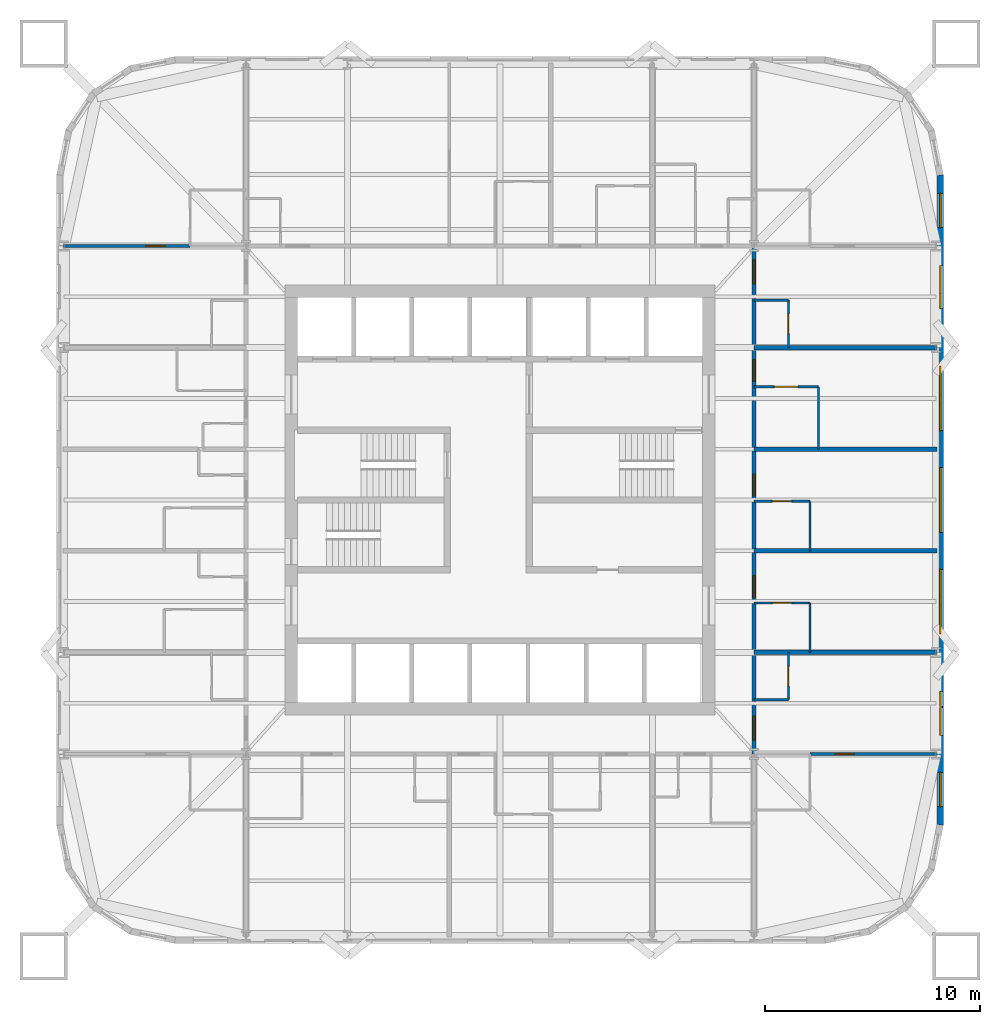
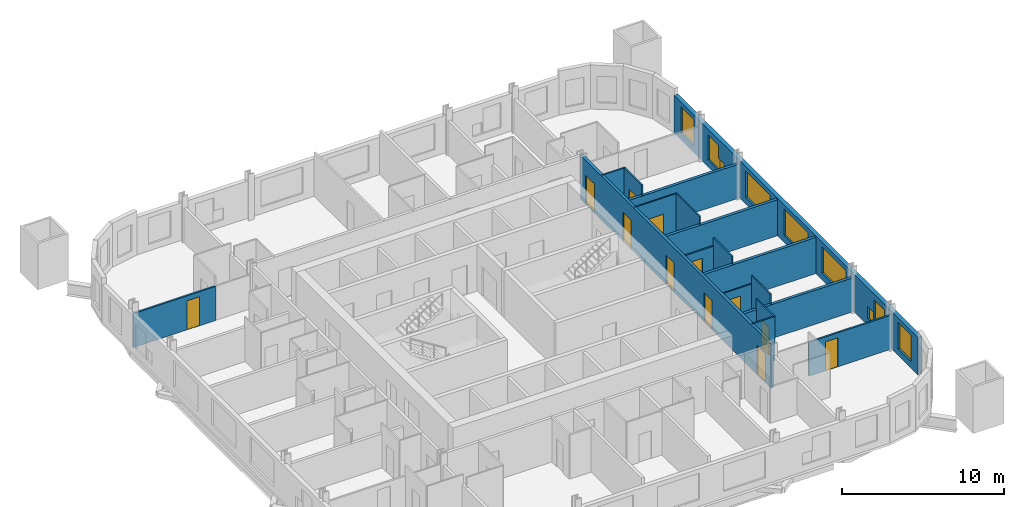
# One storey, part 6 of 9: 18 walls, 12 doors, 9 windows, 21 openings.
"""IFC4 building model written with IfcOpenShell, lengths in metres."""

from ifc_helpers import new_model, si_unit, direction, frame, frame_2d, origin, place, context, subcontext, project, spatial, rectangle, extrude, material, layer, layer_set, type_object, element, fill, save


model = new_model("IFC4")

# Units and contexts
model_context = context("Model", 3, precision=1e-05, world=origin(), true_north=direction((0.0, 1.0)))
body_context = subcontext(model_context, "Body", "Model", "MODEL_VIEW")
ifc_project = project(units=[si_unit("LENGTHUNIT", "METRE"), si_unit("AREAUNIT", "SQUARE_METRE"), si_unit("VOLUMEUNIT", "CUBIC_METRE"), si_unit("PLANEANGLEUNIT", "RADIAN"), si_unit("MASSUNIT", "GRAM", prefix="KILO")], contexts=[model_context])

# Site, building, storey
site_placement = place(None, origin())
site = spatial("IfcSite", under=ifc_project, at=site_placement, CompositionType="ELEMENT")
building_placement = place(site_placement, origin())
building = spatial("IfcBuilding", under=site, at=building_placement, Name="Turquesa Mirador Hotel Tower", CompositionType="ELEMENT")
storey_placement = place(building_placement, frame((0.0, 0.0, 135.39990234375)))
storey = spatial("IfcBuildingStorey", under=building, at=storey_placement, Name="L36", CompositionType="ELEMENT", Elevation=135.39990234375)

# Wall, opening, door
ifc_material_1 = material(Name="Gypsum board on steel studs", Category="steel")
ifc_layer_1 = layer(ifc_material_1, 0.10009765625)
ifc_layer_set_1 = layer_set([ifc_layer_1], Name="BATHROOM WALL 100")
wall_type_1 = type_object("IfcWallType", Name="BATHROOM WALL 100", PredefinedType="PARTITIONING", material=ifc_layer_set_1)
wall_1_placement = place(storey_placement, frame((66.800048828125, 44.93994140625, 0.0), z_axis=(0.0, 0.0, 1.0), x_axis=(1.0, 0.0, 0.0)))
wall_1 = element("IfcWall", 1, at=wall_1_placement, inside=storey, type_object=wall_type_1, Name="Partition L36 001", PredefinedType="PARTITIONING", context=body_context, shape_type="SweptSolid", body=[
    extrude(rectangle(XDim=2.599853515625, YDim=0.10009765625, at=frame_2d((1.2998046875, 0.0))), origin(), (0.0, 0.0, 1.0), 2.730712890625),
])
opening_1_placement = place(wall_1_placement, frame((0.85009765625, 0.0, 0.0)))
opening_1 = element("IfcOpeningElement", 2, at=opening_1_placement, cuts=wall_1, Name="Opening D02", PredefinedType="OPENING", context=body_context, shape_type="SweptSolid", body=[
    extrude(rectangle(XDim=0.89990234375, YDim=2.10009765625, at=frame_2d((0.449951171875, 1.050048828125))), frame((0.0, 0.06005859375, 0.0), z_axis=(0.0, -1.0, 0.0), x_axis=(1.0, 0.0, 0.0)), (0.0, 0.0, 1.0), 0.1201171875),
])
ifc_material_2 = material(Name="Timber veneered door", Category="wood")
door_type_1 = type_object("IfcDoorType", Name="DOOR 900X2100 EN-SUITE", OperationType="SINGLE_SWING_RIGHT", PredefinedType="DOOR", material=ifc_material_2)
door_1_placement = place(opening_1_placement, origin())
door_1 = element("IfcDoor", 3, at=door_1_placement, inside=storey, type_object=door_type_1, Name="Door 3609B", OperationType="SINGLE_SWING_RIGHT", OverallHeight=2.10009765625, OverallWidth=0.89990234375, PredefinedType="DOOR", context=body_context, shape_type="SweptSolid", body=[
    extrude(rectangle(XDim=0.89990234375, YDim=2.10009765625, at=frame_2d((0.449951171875, 1.050048828125))), frame((0.0, 0.02490234375, 0.0), z_axis=(0.0, -1.0, 0.0), x_axis=(1.0, 0.0, 0.0)), (0.0, 0.0, 1.0), 0.050048828125),
])
fill(opening_1, door_1)

wall_2_placement = place(storey_placement, frame((66.800048828125, 40.219970703125, 0.0), z_axis=(0.0, 0.0, 1.0), x_axis=(1.0, 0.0, 0.0)))
wall_2 = element("IfcWall", 4, at=wall_2_placement, inside=storey, type_object=wall_type_1, Name="Partition L36 019", PredefinedType="PARTITIONING", context=body_context, shape_type="SweptSolid", body=[
    extrude(rectangle(XDim=2.599853515625, YDim=0.10009765625, at=frame_2d((1.2998046875, 0.0))), origin(), (0.0, 0.0, 1.0), 2.730712890625),
])
opening_2_placement = place(wall_2_placement, frame((0.85009765625, 0.0, 0.0)))
opening_2 = element("IfcOpeningElement", 5, at=opening_2_placement, cuts=wall_2, Name="Opening D02", PredefinedType="OPENING", context=body_context, shape_type="SweptSolid", body=[
    extrude(rectangle(XDim=0.89990234375, YDim=2.10009765625, at=frame_2d((0.449951171875, 1.050048828125))), frame((0.0, 0.06005859375, 0.0), z_axis=(0.0, -1.0, 0.0), x_axis=(1.0, 0.0, 0.0)), (0.0, 0.0, 1.0), 0.1201171875),
])
door_2_placement = place(opening_2_placement, origin())
door_2 = element("IfcDoor", 6, at=door_2_placement, inside=storey, type_object=door_type_1, Name="Door 3608B", OperationType="SINGLE_SWING_RIGHT", OverallHeight=2.10009765625, OverallWidth=0.89990234375, PredefinedType="DOOR", context=body_context, shape_type="SweptSolid", body=[
    extrude(rectangle(XDim=0.89990234375, YDim=2.10009765625, at=frame_2d((0.449951171875, 1.050048828125))), frame((0.0, 0.02490234375, 0.0), z_axis=(0.0, -1.0, 0.0), x_axis=(1.0, 0.0, 0.0)), (0.0, 0.0, 1.0), 0.050048828125),
])
fill(opening_2, door_2)

# Wall
wall_3_placement = place(storey_placement, frame((66.800048828125, 35.719970703125, 0.0), z_axis=(0.0, 0.0, 1.0), x_axis=(1.0, 0.0, 0.0)))
element("IfcWall", 7, at=wall_3_placement, inside=storey, type_object=wall_type_1, Name="Partition L36 024", PredefinedType="PARTITIONING", context=body_context, shape_type="SweptSolid", body=[
    extrude(rectangle(XDim=1.599853515625, YDim=0.10009765625, at=frame_2d((0.7998046875, 0.0))), origin(), (0.0, 0.0, 1.0), 3.330078125),
])

# Wall, opening, door
wall_4_placement = place(storey_placement, frame((66.800048828125, 50.260009765625, 0.0), z_axis=(0.0, 0.0, 1.0), x_axis=(1.0, 0.0, 0.0)))
wall_4 = element("IfcWall", 8, at=wall_4_placement, inside=storey, type_object=wall_type_1, Name="Partition L36 043", PredefinedType="PARTITIONING", context=body_context, shape_type="SweptSolid", body=[
    extrude(rectangle(XDim=3.0, YDim=0.10009765625, at=frame_2d((1.5, 0.0))), origin(), (0.0, 0.0, 1.0), 3.330078125),
])
opening_3_placement = place(wall_4_placement, frame((0.949951171875, 0.0, 0.0)))
opening_3 = element("IfcOpeningElement", 9, at=opening_3_placement, cuts=wall_4, Name="Opening D16", PredefinedType="OPENING", context=body_context, shape_type="SweptSolid", body=[
    extrude(rectangle(XDim=1.10009765625, YDim=2.10009765625, at=frame_2d((0.550048828125, 1.050048828125))), frame((0.0, 0.06005859375, 0.0), z_axis=(0.0, -1.0, 0.0), x_axis=(1.0, 0.0, 0.0)), (0.0, 0.0, 1.0), 0.1201171875),
])
ifc_material_3 = material(Name="Timber veneered sliding door", Category="wood")
door_type_2 = type_object("IfcDoorType", Name="DOOR 1100X2100 ACCESSIBLE EN-SUITE", OperationType="SLIDING_TO_LEFT", PredefinedType="DOOR", material=ifc_material_3)
door_3_placement = place(opening_3_placement, origin())
door_3 = element("IfcDoor", 10, at=door_3_placement, inside=storey, type_object=door_type_2, Name="Door 3610B", OperationType="SLIDING_TO_LEFT", OverallHeight=2.10009765625, OverallWidth=1.10009765625, PredefinedType="DOOR", context=body_context, shape_type="SweptSolid", body=[
    extrude(rectangle(XDim=1.10009765625, YDim=2.10009765625, at=frame_2d((0.550048828125, 1.050048828125))), frame((0.0, 0.02490234375, 0.0), z_axis=(0.0, -1.0, 0.0), x_axis=(1.0, 0.0, 0.0)), (0.0, 0.0, 1.0), 0.050048828125),
])
fill(opening_3, door_3)

# Wall
wall_5_placement = place(storey_placement, frame((66.800048828125, 54.280029296875, 0.0), z_axis=(0.0, 0.0, 1.0), x_axis=(1.0, 0.0, 0.0)))
element("IfcWall", 11, at=wall_5_placement, inside=storey, type_object=wall_type_1, Name="Partition L36 047", PredefinedType="PARTITIONING", context=body_context, shape_type="SweptSolid", body=[
    extrude(rectangle(XDim=1.599853515625, YDim=0.10009765625, at=frame_2d((0.7998046875, 0.0))), origin(), (0.0, 0.0, 1.0), 3.330078125),
])

# Wall, opening, door
wall_6_placement = place(storey_placement, frame((68.39990234375, 35.719970703125, 0.0), z_axis=(0.0, 0.0, 1.0), x_axis=(0.0, 1.0, 0.0)))
wall_6 = element("IfcWall", 12, at=wall_6_placement, inside=storey, type_object=wall_type_1, Name="Partition L36 072", PredefinedType="PARTITIONING", context=body_context, shape_type="SweptSolid", body=[
    extrude(rectangle(XDim=2.199951171875, YDim=0.10009765625, at=frame_2d((1.10009765625, 0.0))), origin(), (0.0, 0.0, 1.0), 3.330078125),
])
opening_4_placement = place(wall_6_placement, frame((0.64990234375, 0.0, 0.0)))
opening_4 = element("IfcOpeningElement", 13, at=opening_4_placement, cuts=wall_6, Name="Opening D06", PredefinedType="OPENING", context=body_context, shape_type="SweptSolid", body=[
    extrude(rectangle(XDim=0.89990234375, YDim=2.10009765625, at=frame_2d((0.449951171875, 1.050048828125))), frame((0.0, 0.06005859375, 0.0), z_axis=(0.0, -1.0, 0.0), x_axis=(1.0, 0.0, 0.0)), (0.0, 0.0, 1.0), 0.1201171875),
])
ifc_material_4 = material(Name="Laminate door", Category="wood")
door_type_3 = type_object("IfcDoorType", Name="DOOR 900X2100 WC", OperationType="SINGLE_SWING_LEFT", PredefinedType="DOOR", material=ifc_material_4)
door_4_placement = place(opening_4_placement, origin())
door_4 = element("IfcDoor", 14, at=door_4_placement, inside=storey, type_object=door_type_3, Name="Door 3617W", OperationType="SINGLE_SWING_LEFT", OverallHeight=2.10009765625, OverallWidth=0.89990234375, PredefinedType="DOOR", context=body_context, shape_type="SweptSolid", body=[
    extrude(rectangle(XDim=0.89990234375, YDim=2.10009765625, at=frame_2d((0.449951171875, 1.050048828125))), frame((0.0, 0.02490234375, 0.0), z_axis=(0.0, -1.0, 0.0), x_axis=(1.0, 0.0, 0.0)), (0.0, 0.0, 1.0), 0.050048828125),
])
fill(opening_4, door_4)

wall_7_placement = place(storey_placement, frame((68.39990234375, 52.080078125, 0.0), z_axis=(0.0, 0.0, 1.0), x_axis=(0.0, 1.0, 0.0)))
wall_7 = element("IfcWall", 15, at=wall_7_placement, inside=storey, type_object=wall_type_1, Name="Partition L36 073", PredefinedType="PARTITIONING", context=body_context, shape_type="SweptSolid", body=[
    extrude(rectangle(XDim=2.199951171875, YDim=0.10009765625, at=frame_2d((1.10009765625, 0.0))), origin(), (0.0, 0.0, 1.0), 3.330078125),
])
opening_5_placement = place(wall_7_placement, frame((0.64990234375, 0.0, 0.0)))
opening_5 = element("IfcOpeningElement", 16, at=opening_5_placement, cuts=wall_7, Name="Opening D06", PredefinedType="OPENING", context=body_context, shape_type="SweptSolid", body=[
    extrude(rectangle(XDim=0.89990234375, YDim=2.10009765625, at=frame_2d((0.449951171875, 1.050048828125))), frame((0.0, 0.06005859375, 0.0), z_axis=(0.0, -1.0, 0.0), x_axis=(1.0, 0.0, 0.0)), (0.0, 0.0, 1.0), 0.1201171875),
])
door_5_placement = place(opening_5_placement, origin())
door_5 = element("IfcDoor", 17, at=door_5_placement, inside=storey, type_object=door_type_3, Name="Door 3614W", OperationType="SINGLE_SWING_LEFT", OverallHeight=2.10009765625, OverallWidth=0.89990234375, PredefinedType="DOOR", context=body_context, shape_type="SweptSolid", body=[
    extrude(rectangle(XDim=0.89990234375, YDim=2.10009765625, at=frame_2d((0.449951171875, 1.050048828125))), frame((0.0, 0.02490234375, 0.0), z_axis=(0.0, -1.0, 0.0), x_axis=(1.0, 0.0, 0.0)), (0.0, 0.0, 1.0), 0.050048828125),
])
fill(opening_5, door_5)

# Walls
for number, where, z_axis, x_axis, name in (
    (18, (69.39990234375, 37.919921875, 0.0), (0.0, 0.0, 1.0), (0.0, 1.0, 0.0), "Partition L36 075"),
    (19, (69.39990234375, 42.639892578125, 0.0), (0.0, 0.0, 1.0), (0.0, 1.0, 0.0), "Partition L36 076"),
):
    element("IfcWall", number, at=place(storey_placement, frame(where, z_axis=z_axis, x_axis=x_axis)), inside=storey, type_object=wall_type_1, Name=name, PredefinedType="PARTITIONING", context=body_context, shape_type="SweptSolid", body=[
        extrude(rectangle(XDim=2.300048828125, YDim=0.10009765625, at=frame_2d((1.14990234375, 0.0))), origin(), (0.0, 0.0, 1.0), 3.330078125),
    ])
wall_8_placement = place(storey_placement, frame((69.800048828125, 47.360107421875, 0.0), z_axis=(0.0, 0.0, 1.0), x_axis=(0.0, 1.0, 0.0)))
element("IfcWall", 20, at=wall_8_placement, inside=storey, type_object=wall_type_1, Name="Partition L36 078", PredefinedType="PARTITIONING", context=body_context, shape_type="SweptSolid", body=[
    extrude(rectangle(XDim=2.89990234375, YDim=0.10009765625, at=frame_2d((1.449951171875, 0.0))), origin(), (0.0, 0.0, 1.0), 3.330078125),
])

# Wall, openings, doors
ifc_material_5 = material(Name="Fire-rated gypsum board on steel studs", Category="steel")
ifc_layer_2 = layer(ifc_material_5, 0.199951171875)
ifc_layer_set_2 = layer_set([ifc_layer_2], Name="CORRIDOR WALL 200")
wall_type_2 = type_object("IfcWallType", Name="CORRIDOR WALL 200", PredefinedType="PARTITIONING", material=ifc_layer_set_2)
wall_9_placement = place(storey_placement, frame((66.800048828125, 33.199951171875, 0.0), z_axis=(0.0, 0.0, 1.0), x_axis=(0.0, 1.0, 0.0)))
wall_9 = element("IfcWall", 21, at=wall_9_placement, inside=storey, type_object=wall_type_2, Name="Partition L36 069", PredefinedType="PARTITIONING", context=body_context, shape_type="SweptSolid", body=[
    extrude(rectangle(XDim=23.60009765625, YDim=0.199951171875, at=frame_2d((11.800048828125, 0.0))), origin(), (0.0, 0.0, 1.0), 3.330078125),
])
opening_6_placement = place(wall_9_placement, frame((7.27001953125, 0.0, 0.0)))
opening_6 = element("IfcOpeningElement", 22, at=opening_6_placement, cuts=wall_9, Name="Opening D01", PredefinedType="OPENING", context=body_context, shape_type="SweptSolid", body=[
    extrude(rectangle(XDim=1.0, YDim=2.199951171875, at=frame_2d((0.5, 1.10009765625))), frame((0.0, 0.10986328125, 0.0), z_axis=(0.0, -1.0, 0.0), x_axis=(1.0, 0.0, 0.0)), (0.0, 0.0, 1.0), 0.219970703125),
])
opening_7_placement = place(wall_9_placement, frame((11.989990234375, 0.0, 0.0)))
opening_7 = element("IfcOpeningElement", 23, at=opening_7_placement, cuts=wall_9, Name="Opening D01", PredefinedType="OPENING", context=body_context, shape_type="SweptSolid", body=[
    extrude(rectangle(XDim=1.0, YDim=2.199951171875, at=frame_2d((0.5, 1.10009765625))), frame((0.0, 0.10986328125, 0.0), z_axis=(0.0, -1.0, 0.0), x_axis=(1.0, 0.0, 0.0)), (0.0, 0.0, 1.0), 0.219970703125),
])
opening_8_placement = place(wall_9_placement, frame((17.31005859375, 0.0, 0.0)))
opening_8 = element("IfcOpeningElement", 24, at=opening_8_placement, cuts=wall_9, Name="Opening D01", PredefinedType="OPENING", context=body_context, shape_type="SweptSolid", body=[
    extrude(rectangle(XDim=1.0, YDim=2.199951171875, at=frame_2d((0.5, 1.10009765625))), frame((0.0, 0.10986328125, 0.0), z_axis=(0.0, -1.0, 0.0), x_axis=(1.0, 0.0, 0.0)), (0.0, 0.0, 1.0), 0.219970703125),
])
opening_9_placement = place(wall_9_placement, frame((21.85009765625, 0.0, 0.0)))
opening_9 = element("IfcOpeningElement", 25, at=opening_9_placement, cuts=wall_9, Name="Opening D15", PredefinedType="OPENING", context=body_context, shape_type="SweptSolid", body=[
    extrude(rectangle(XDim=1.10009765625, YDim=2.199951171875, at=frame_2d((0.550048828125, 1.10009765625))), frame((0.0, 0.10986328125, 0.0), z_axis=(0.0, -1.0, 0.0), x_axis=(1.0, 0.0, 0.0)), (0.0, 0.0, 1.0), 0.219970703125),
])
opening_10_placement = place(wall_9_placement, frame((0.64990234375, 0.0, 0.0)))
opening_10 = element("IfcOpeningElement", 26, at=opening_10_placement, cuts=wall_9, Name="Opening D15", PredefinedType="OPENING", context=body_context, shape_type="SweptSolid", body=[
    extrude(rectangle(XDim=1.10009765625, YDim=2.199951171875, at=frame_2d((0.550048828125, 1.10009765625))), frame((0.0, 0.10986328125, 0.0), z_axis=(0.0, -1.0, 0.0), x_axis=(1.0, 0.0, 0.0)), (0.0, 0.0, 1.0), 0.219970703125),
])
ifc_material_6 = material(Name="Timber veneered fire door", Category="wood")
door_type_4 = type_object("IfcDoorType", Name="DOOR 1000X2200 GUEST ENTRY", OperationType="SINGLE_SWING_LEFT", PredefinedType="DOOR", material=ifc_material_6)
door_6_placement = place(opening_6_placement, origin())
door_6 = element("IfcDoor", 27, at=door_6_placement, inside=storey, type_object=door_type_4, Name="Door 3608", OperationType="SINGLE_SWING_LEFT", OverallHeight=2.199951171875, OverallWidth=1.0, PredefinedType="DOOR", context=body_context, shape_type="SweptSolid", body=[
    extrude(rectangle(XDim=1.0, YDim=2.199951171875, at=frame_2d((0.5, 1.10009765625))), frame((0.0, 0.02490234375, 0.0), z_axis=(0.0, -1.0, 0.0), x_axis=(1.0, 0.0, 0.0)), (0.0, 0.0, 1.0), 0.050048828125),
])
fill(opening_6, door_6)
door_7_placement = place(opening_7_placement, origin())
door_7 = element("IfcDoor", 28, at=door_7_placement, inside=storey, type_object=door_type_4, Name="Door 3609", OperationType="SINGLE_SWING_LEFT", OverallHeight=2.199951171875, OverallWidth=1.0, PredefinedType="DOOR", context=body_context, shape_type="SweptSolid", body=[
    extrude(rectangle(XDim=1.0, YDim=2.199951171875, at=frame_2d((0.5, 1.10009765625))), frame((0.0, 0.02490234375, 0.0), z_axis=(0.0, -1.0, 0.0), x_axis=(1.0, 0.0, 0.0)), (0.0, 0.0, 1.0), 0.050048828125),
])
fill(opening_7, door_7)
door_8_placement = place(opening_8_placement, origin())
door_8 = element("IfcDoor", 29, at=door_8_placement, inside=storey, type_object=door_type_4, Name="Door 3610", OperationType="SINGLE_SWING_LEFT", OverallHeight=2.199951171875, OverallWidth=1.0, PredefinedType="DOOR", context=body_context, shape_type="SweptSolid", body=[
    extrude(rectangle(XDim=1.0, YDim=2.199951171875, at=frame_2d((0.5, 1.10009765625))), frame((0.0, 0.02490234375, 0.0), z_axis=(0.0, -1.0, 0.0), x_axis=(1.0, 0.0, 0.0)), (0.0, 0.0, 1.0), 0.050048828125),
])
fill(opening_8, door_8)
ifc_material_7 = material(Name="Timber veneered fire door", Category="wood")
door_type_5 = type_object("IfcDoorType", Name="DOOR 1100X2200 SUITE ENTRY", OperationType="SINGLE_SWING_LEFT", PredefinedType="DOOR", material=ifc_material_7)
door_9_placement = place(opening_9_placement, origin())
door_9 = element("IfcDoor", 30, at=door_9_placement, inside=storey, type_object=door_type_5, Name="Door 3614", OperationType="SINGLE_SWING_LEFT", OverallHeight=2.199951171875, OverallWidth=1.10009765625, PredefinedType="DOOR", context=body_context, shape_type="SweptSolid", body=[
    extrude(rectangle(XDim=1.10009765625, YDim=2.199951171875, at=frame_2d((0.550048828125, 1.10009765625))), frame((0.0, 0.02490234375, 0.0), z_axis=(0.0, -1.0, 0.0), x_axis=(1.0, 0.0, 0.0)), (0.0, 0.0, 1.0), 0.050048828125),
])
fill(opening_9, door_9)
door_10_placement = place(opening_10_placement, origin())
door_10 = element("IfcDoor", 31, at=door_10_placement, inside=storey, type_object=door_type_5, Name="Door 3617", OperationType="SINGLE_SWING_LEFT", OverallHeight=2.199951171875, OverallWidth=1.10009765625, PredefinedType="DOOR", context=body_context, shape_type="SweptSolid", body=[
    extrude(rectangle(XDim=1.10009765625, YDim=2.199951171875, at=frame_2d((0.550048828125, 1.10009765625))), frame((0.0, 0.02490234375, 0.0), z_axis=(0.0, -1.0, 0.0), x_axis=(1.0, 0.0, 0.0)), (0.0, 0.0, 1.0), 0.050048828125),
])
fill(opening_10, door_10)

# Wall, openings, windows
ifc_material_8 = material(Name="Limestone cladding on concrete block", Category="masonry")
ifc_layer_3 = layer(ifc_material_8, 0.300048828125)
ifc_layer_set_3 = layer_set([ifc_layer_3], Name="FACADE WALL 300 STONE SCREEN")
wall_type_3 = type_object("IfcWallType", Name="FACADE WALL 300 STONE SCREEN", PredefinedType="SOLIDWALL", material=ifc_layer_set_3)
wall_10_placement = place(storey_placement, frame((75.449951171875, 29.89990234375, 0.0), z_axis=(0.0, 0.0, 1.0), x_axis=(0.0, 1.0, 0.0)))
wall_10 = element("IfcWall", 32, at=wall_10_placement, inside=storey, type_object=wall_type_3, Name="Facade wall L36 04", PredefinedType="SOLIDWALL", context=body_context, shape_type="SweptSolid", body=[
    extrude(rectangle(XDim=30.2001953125, YDim=0.300048828125, at=frame_2d((15.10009765625, 0.0))), origin(), (0.0, 0.0, 1.0), 2.830078125),
])
opening_11_placement = place(wall_10_placement, frame((0.85009765625, 0.0, 0.5)))
opening_11 = element("IfcOpeningElement", 33, at=opening_11_placement, cuts=wall_10, Name="Opening WN3", PredefinedType="OPENING", context=body_context, shape_type="SweptSolid", body=[
    extrude(rectangle(XDim=1.60009765625, YDim=2.0, at=frame_2d((0.800048828125, 1.0))), frame((0.0, 0.159912109375, 0.0), z_axis=(0.0, -1.0, 0.0), x_axis=(1.0, 0.0, 0.0)), (0.0, 0.0, 1.0), 0.320068359375),
])
opening_12_placement = place(wall_10_placement, frame((4.159912109375, 0.0, 0.5)))
opening_12 = element("IfcOpeningElement", 34, at=opening_12_placement, cuts=wall_10, Name="Opening WN27", PredefinedType="OPENING", context=body_context, shape_type="SweptSolid", body=[
    extrude(rectangle(XDim=1.300048828125, YDim=1.89990234375, at=frame_2d((0.64990234375, 0.949951171875))), frame((0.0, 0.159912109375, 0.0), z_axis=(0.0, -1.0, 0.0), x_axis=(1.0, 0.0, 0.0)), (0.0, 0.0, 1.0), 0.320068359375),
])
opening_13_placement = place(wall_10_placement, frame((8.8798828125, 0.0, 0.5)))
opening_13 = element("IfcOpeningElement", 35, at=opening_13_placement, cuts=wall_10, Name="Opening WN1", PredefinedType="OPENING", context=body_context, shape_type="SweptSolid", body=[
    extrude(rectangle(XDim=3.0, YDim=2.0, at=frame_2d((1.5, 1.0))), frame((0.0, 0.159912109375, 0.0), z_axis=(0.0, -1.0, 0.0), x_axis=(1.0, 0.0, 0.0)), (0.0, 0.0, 1.0), 0.320068359375),
])
opening_14_placement = place(wall_10_placement, frame((13.60009765625, 0.0, 0.5)))
opening_14 = element("IfcOpeningElement", 36, at=opening_14_placement, cuts=wall_10, Name="Opening WN1", PredefinedType="OPENING", context=body_context, shape_type="SweptSolid", body=[
    extrude(rectangle(XDim=3.0, YDim=2.0, at=frame_2d((1.5, 1.0))), frame((0.0, 0.159912109375, 0.0), z_axis=(0.0, -1.0, 0.0), x_axis=(1.0, 0.0, 0.0)), (0.0, 0.0, 1.0), 0.320068359375),
])
opening_15_placement = place(wall_10_placement, frame((18.320068359375, 0.0, 0.5)))
opening_15 = element("IfcOpeningElement", 37, at=opening_15_placement, cuts=wall_10, Name="Opening WN1", PredefinedType="OPENING", context=body_context, shape_type="SweptSolid", body=[
    extrude(rectangle(XDim=3.0, YDim=2.0, at=frame_2d((1.5, 1.0))), frame((0.0, 0.159912109375, 0.0), z_axis=(0.0, -1.0, 0.0), x_axis=(1.0, 0.0, 0.0)), (0.0, 0.0, 1.0), 0.320068359375),
])
opening_16_placement = place(wall_10_placement, frame((24.68994140625, 0.0, 0.5)))
opening_16 = element("IfcOpeningElement", 38, at=opening_16_placement, cuts=wall_10, Name="Opening WN27", PredefinedType="OPENING", context=body_context, shape_type="SweptSolid", body=[
    extrude(rectangle(XDim=1.300048828125, YDim=1.89990234375, at=frame_2d((0.64990234375, 0.949951171875))), frame((0.0, 0.159912109375, 0.0), z_axis=(0.0, -1.0, 0.0), x_axis=(1.0, 0.0, 0.0)), (0.0, 0.0, 1.0), 0.320068359375),
])
opening_17_placement = place(wall_10_placement, frame((27.75, 0.0, 0.5)))
opening_17 = element("IfcOpeningElement", 39, at=opening_17_placement, cuts=wall_10, Name="Opening WN3", PredefinedType="OPENING", context=body_context, shape_type="SweptSolid", body=[
    extrude(rectangle(XDim=1.60009765625, YDim=2.0, at=frame_2d((0.800048828125, 1.0))), frame((0.0, 0.159912109375, 0.0), z_axis=(0.0, -1.0, 0.0), x_axis=(1.0, 0.0, 0.0)), (0.0, 0.0, 1.0), 0.320068359375),
])
opening_18_placement = place(wall_10_placement, frame((5.510009765625, 0.0, 0.5)))
opening_18 = element("IfcOpeningElement", 40, at=opening_18_placement, cuts=wall_10, Name="Opening WN31", PredefinedType="OPENING", context=body_context, shape_type="SweptSolid", body=[
    extrude(rectangle(XDim=0.699951171875, YDim=0.89990234375, at=frame_2d((0.35009765625, 0.449951171875))), frame((0.0, 0.159912109375, 0.0), z_axis=(0.0, -1.0, 0.0), x_axis=(1.0, 0.0, 0.0)), (0.0, 0.0, 1.0), 0.320068359375),
])
opening_19_placement = place(wall_10_placement, frame((23.989990234375, 0.0, 0.5)))
opening_19 = element("IfcOpeningElement", 41, at=opening_19_placement, cuts=wall_10, Name="Opening WN31", PredefinedType="OPENING", context=body_context, shape_type="SweptSolid", body=[
    extrude(rectangle(XDim=0.699951171875, YDim=0.89990234375, at=frame_2d((0.35009765625, 0.449951171875))), frame((0.0, 0.159912109375, 0.0), z_axis=(0.0, -1.0, 0.0), x_axis=(1.0, 0.0, 0.0)), (0.0, 0.0, 1.0), 0.320068359375),
])
ifc_material_9 = material(Name="Ceramic-fritted laminated glass", Category="glass")
window_type_1 = type_object("IfcWindowType", Name="FRITTED WINDOW 1300X1900", PartitioningType="DOUBLE_PANEL_HORIZONTAL", PredefinedType="WINDOW", material=ifc_material_9)
window_1_placement = place(opening_12_placement, origin())
window_1 = element("IfcWindow", 42, at=window_1_placement, inside=storey, type_object=window_type_1, Name="Window L36", OverallHeight=1.89990234375, OverallWidth=1.300048828125, PartitioningType="SINGLE_PANEL", PredefinedType="WINDOW", context=body_context, shape_type="SweptSolid", body=[
    extrude(rectangle(XDim=1.300048828125, YDim=1.89990234375, at=frame_2d((0.64990234375, 0.949951171875))), frame((0.0, 0.030029296875, 0.0), z_axis=(0.0, -1.0, 0.0), x_axis=(1.0, 0.0, 0.0)), (0.0, 0.0, 1.0), 0.06005859375),
])
fill(opening_12, window_1)
window_2_placement = place(opening_16_placement, origin())
window_2 = element("IfcWindow", 43, at=window_2_placement, inside=storey, type_object=window_type_1, Name="Window L36", OverallHeight=1.89990234375, OverallWidth=1.300048828125, PartitioningType="SINGLE_PANEL", PredefinedType="WINDOW", context=body_context, shape_type="SweptSolid", body=[
    extrude(rectangle(XDim=1.300048828125, YDim=1.89990234375, at=frame_2d((0.64990234375, 0.949951171875))), frame((0.0, 0.030029296875, 0.0), z_axis=(0.0, -1.0, 0.0), x_axis=(1.0, 0.0, 0.0)), (0.0, 0.0, 1.0), 0.06005859375),
])
fill(opening_16, window_2)
ifc_material_10 = material(Name="Ceramic-fritted laminated glass", Category="glass")
window_type_2 = type_object("IfcWindowType", Name="FRITTED WINDOW 1600X2000", PartitioningType="DOUBLE_PANEL_HORIZONTAL", PredefinedType="WINDOW", material=ifc_material_10)
window_3_placement = place(opening_11_placement, origin())
window_3 = element("IfcWindow", 44, at=window_3_placement, inside=storey, type_object=window_type_2, Name="Window L36", OverallHeight=2.0, OverallWidth=1.60009765625, PartitioningType="SINGLE_PANEL", PredefinedType="WINDOW", context=body_context, shape_type="SweptSolid", body=[
    extrude(rectangle(XDim=1.60009765625, YDim=2.0, at=frame_2d((0.800048828125, 1.0))), frame((0.0, 0.030029296875, 0.0), z_axis=(0.0, -1.0, 0.0), x_axis=(1.0, 0.0, 0.0)), (0.0, 0.0, 1.0), 0.06005859375),
])
fill(opening_11, window_3)
window_4_placement = place(opening_17_placement, origin())
window_4 = element("IfcWindow", 45, at=window_4_placement, inside=storey, type_object=window_type_2, Name="Window L36", OverallHeight=2.0, OverallWidth=1.60009765625, PartitioningType="SINGLE_PANEL", PredefinedType="WINDOW", context=body_context, shape_type="SweptSolid", body=[
    extrude(rectangle(XDim=1.60009765625, YDim=2.0, at=frame_2d((0.800048828125, 1.0))), frame((0.0, 0.030029296875, 0.0), z_axis=(0.0, -1.0, 0.0), x_axis=(1.0, 0.0, 0.0)), (0.0, 0.0, 1.0), 0.06005859375),
])
fill(opening_17, window_4)
ifc_material_11 = material(Name="Ceramic-fritted laminated glass", Category="glass")
window_type_3 = type_object("IfcWindowType", Name="FRITTED WINDOW 3000X2000", PartitioningType="DOUBLE_PANEL_HORIZONTAL", PredefinedType="WINDOW", material=ifc_material_11)
window_5_placement = place(opening_13_placement, origin())
window_5 = element("IfcWindow", 46, at=window_5_placement, inside=storey, type_object=window_type_3, Name="Window L36", OverallHeight=2.0, OverallWidth=3.0, PartitioningType="SINGLE_PANEL", PredefinedType="WINDOW", context=body_context, shape_type="SweptSolid", body=[
    extrude(rectangle(XDim=3.0, YDim=2.0, at=frame_2d((1.5, 1.0))), frame((0.0, 0.030029296875, 0.0), z_axis=(0.0, -1.0, 0.0), x_axis=(1.0, 0.0, 0.0)), (0.0, 0.0, 1.0), 0.06005859375),
])
fill(opening_13, window_5)
window_6_placement = place(opening_14_placement, origin())
window_6 = element("IfcWindow", 47, at=window_6_placement, inside=storey, type_object=window_type_3, Name="Window L36", OverallHeight=2.0, OverallWidth=3.0, PartitioningType="SINGLE_PANEL", PredefinedType="WINDOW", context=body_context, shape_type="SweptSolid", body=[
    extrude(rectangle(XDim=3.0, YDim=2.0, at=frame_2d((1.5, 1.0))), frame((0.0, 0.030029296875, 0.0), z_axis=(0.0, -1.0, 0.0), x_axis=(1.0, 0.0, 0.0)), (0.0, 0.0, 1.0), 0.06005859375),
])
fill(opening_14, window_6)
window_7_placement = place(opening_15_placement, origin())
window_7 = element("IfcWindow", 48, at=window_7_placement, inside=storey, type_object=window_type_3, Name="Window L36", OverallHeight=2.0, OverallWidth=3.0, PartitioningType="SINGLE_PANEL", PredefinedType="WINDOW", context=body_context, shape_type="SweptSolid", body=[
    extrude(rectangle(XDim=3.0, YDim=2.0, at=frame_2d((1.5, 1.0))), frame((0.0, 0.030029296875, 0.0), z_axis=(0.0, -1.0, 0.0), x_axis=(1.0, 0.0, 0.0)), (0.0, 0.0, 1.0), 0.06005859375),
])
fill(opening_15, window_7)
ifc_material_12 = material(Name="Ceramic-fritted laminated glass", Category="glass")
window_type_4 = type_object("IfcWindowType", Name="FRITTED WINDOW 700X900", PartitioningType="DOUBLE_PANEL_HORIZONTAL", PredefinedType="WINDOW", material=ifc_material_12)
window_8_placement = place(opening_18_placement, origin())
window_8 = element("IfcWindow", 49, at=window_8_placement, inside=storey, type_object=window_type_4, Name="Window L36", OverallHeight=0.89990234375, OverallWidth=0.699951171875, PartitioningType="SINGLE_PANEL", PredefinedType="WINDOW", context=body_context, shape_type="SweptSolid", body=[
    extrude(rectangle(XDim=0.699951171875, YDim=0.89990234375, at=frame_2d((0.35009765625, 0.449951171875))), frame((0.0, 0.030029296875, 0.0), z_axis=(0.0, -1.0, 0.0), x_axis=(1.0, 0.0, 0.0)), (0.0, 0.0, 1.0), 0.06005859375),
])
fill(opening_18, window_8)
window_9_placement = place(opening_19_placement, origin())
window_9 = element("IfcWindow", 50, at=window_9_placement, inside=storey, type_object=window_type_4, Name="Window L36", OverallHeight=0.89990234375, OverallWidth=0.699951171875, PartitioningType="SINGLE_PANEL", PredefinedType="WINDOW", context=body_context, shape_type="SweptSolid", body=[
    extrude(rectangle(XDim=0.699951171875, YDim=0.89990234375, at=frame_2d((0.35009765625, 0.449951171875))), frame((0.0, 0.030029296875, 0.0), z_axis=(0.0, -1.0, 0.0), x_axis=(1.0, 0.0, 0.0)), (0.0, 0.0, 1.0), 0.06005859375),
])
fill(opening_19, window_9)

# Walls
ifc_material_13 = material(Name="Fire-rated gypsum board on steel studs", Category="steel")
ifc_layer_4 = layer(ifc_material_13, 0.199951171875)
ifc_layer_set_4 = layer_set([ifc_layer_4], Name="PARTY WALL 200")
wall_type_4 = type_object("IfcWallType", Name="PARTY WALL 200", PredefinedType="PARTITIONING", material=ifc_layer_set_4)
wall_11_placement = place(storey_placement, frame((66.800048828125, 42.639892578125, 0.0), z_axis=(0.0, 0.0, 1.0), x_axis=(1.0, 0.0, 0.0)))
element("IfcWall", 51, at=wall_11_placement, inside=storey, type_object=wall_type_4, Name="Partition L36 017", PredefinedType="PARTITIONING", context=body_context, shape_type="SweptSolid", body=[
    extrude(rectangle(XDim=8.5, YDim=0.199951171875, at=frame_2d((4.25, 0.0))), origin(), (0.0, 0.0, 1.0), 2.730712890625),
])
wall_12_placement = place(storey_placement, frame((66.800048828125, 37.919921875, 0.0), z_axis=(0.0, 0.0, 1.0), x_axis=(1.0, 0.0, 0.0)))
element("IfcWall", 52, at=wall_12_placement, inside=storey, type_object=wall_type_4, Name="Partition L36 022", PredefinedType="PARTITIONING", context=body_context, shape_type="SweptSolid", body=[
    extrude(rectangle(XDim=8.5, YDim=0.199951171875, at=frame_2d((4.25, 0.0))), origin(), (0.0, 0.0, 1.0), 2.5732421875),
])
wall_13_placement = place(storey_placement, frame((66.800048828125, 47.360107421875, 0.0), z_axis=(0.0, 0.0, 1.0), x_axis=(1.0, 0.0, 0.0)))
element("IfcWall", 53, at=wall_13_placement, inside=storey, type_object=wall_type_4, Name="Partition L36 040", PredefinedType="PARTITIONING", context=body_context, shape_type="SweptSolid", body=[
    extrude(rectangle(XDim=8.5, YDim=0.199951171875, at=frame_2d((4.25, 0.0))), origin(), (0.0, 0.0, 1.0), 2.730712890625),
])
wall_14_placement = place(storey_placement, frame((66.800048828125, 52.080078125, 0.0), z_axis=(0.0, 0.0, 1.0), x_axis=(1.0, 0.0, 0.0)))
element("IfcWall", 54, at=wall_14_placement, inside=storey, type_object=wall_type_4, Name="Partition L36 045", PredefinedType="PARTITIONING", context=body_context, shape_type="SweptSolid", body=[
    extrude(rectangle(XDim=8.5, YDim=0.199951171875, at=frame_2d((4.25, 0.0))), origin(), (0.0, 0.0, 1.0), 2.5732421875),
])

# Wall, opening, door
ifc_material_14 = material(Name="Acoustic gypsum board on steel studs", Category="steel")
ifc_layer_5 = layer(ifc_material_14, 0.125)
ifc_layer_set_5 = layer_set([ifc_layer_5], Name="SUITE PARTITION 125")
wall_type_5 = type_object("IfcWallType", Name="SUITE PARTITION 125", PredefinedType="PARTITIONING", material=ifc_layer_set_5)
wall_15_placement = place(storey_placement, frame((69.39990234375, 33.199951171875, 0.0), z_axis=(0.0, 0.0, 1.0), x_axis=(1.0, 0.0, 0.0)))
wall_15 = element("IfcWall", 55, at=wall_15_placement, inside=storey, type_object=wall_type_5, Name="Partition L36 007", PredefinedType="PARTITIONING", context=body_context, shape_type="SweptSolid", body=[
    extrude(rectangle(XDim=5.900146484375, YDim=0.125, at=frame_2d((2.9501953125, 0.0))), origin(), (0.0, 0.0, 1.0), 2.5732421875),
])
opening_20_placement = place(wall_15_placement, frame((1.14990234375, 0.0, 0.0)))
opening_20 = element("IfcOpeningElement", 56, at=opening_20_placement, cuts=wall_15, Name="Opening D17", PredefinedType="OPENING", context=body_context, shape_type="SweptSolid", body=[
    extrude(rectangle(XDim=0.89990234375, YDim=2.199951171875, at=frame_2d((0.449951171875, 1.10009765625))), frame((0.0, 0.072509765625, 0.0), z_axis=(0.0, -1.0, 0.0), x_axis=(1.0, 0.0, 0.0)), (0.0, 0.0, 1.0), 0.14501953125),
])
ifc_material_15 = material(Name="Timber veneered door", Category="wood")
door_type_6 = type_object("IfcDoorType", Name="DOOR 900X2200 SUITE INTERNAL", OperationType="SINGLE_SWING_LEFT", PredefinedType="DOOR", material=ifc_material_15)
door_11_placement = place(opening_20_placement, origin())
door_11 = element("IfcDoor", 57, at=door_11_placement, inside=storey, type_object=door_type_6, Name="Door 3617R", OperationType="SINGLE_SWING_LEFT", OverallHeight=2.199951171875, OverallWidth=0.89990234375, PredefinedType="DOOR", context=body_context, shape_type="SweptSolid", body=[
    extrude(rectangle(XDim=0.89990234375, YDim=2.199951171875, at=frame_2d((0.449951171875, 1.10009765625))), frame((0.0, 0.02490234375, 0.0), z_axis=(0.0, -1.0, 0.0), x_axis=(1.0, 0.0, 0.0)), (0.0, 0.0, 1.0), 0.050048828125),
])
fill(opening_20, door_11)

wall_16_placement = place(storey_placement, frame((34.699951171875, 56.800048828125, 0.0), z_axis=(0.0, 0.0, 1.0), x_axis=(1.0, 0.0, 0.0)))
wall_16 = element("IfcWall", 58, at=wall_16_placement, inside=storey, type_object=wall_type_5, Name="Partition L36 029", PredefinedType="PARTITIONING", context=body_context, shape_type="SweptSolid", body=[
    extrude(rectangle(XDim=5.900146484375, YDim=0.125, at=frame_2d((2.9501953125, 0.0))), origin(), (0.0, 0.0, 1.0), 2.5732421875),
])
opening_21_placement = place(wall_16_placement, frame((3.85009765625, 0.0, 0.0)))
opening_21 = element("IfcOpeningElement", 59, at=opening_21_placement, cuts=wall_16, Name="Opening D17", PredefinedType="OPENING", context=body_context, shape_type="SweptSolid", body=[
    extrude(rectangle(XDim=0.89990234375, YDim=2.199951171875, at=frame_2d((0.449951171875, 1.10009765625))), frame((0.0, 0.072509765625, 0.0), z_axis=(0.0, -1.0, 0.0), x_axis=(1.0, 0.0, 0.0)), (0.0, 0.0, 1.0), 0.14501953125),
])
door_12_placement = place(opening_21_placement, origin())
door_12 = element("IfcDoor", 60, at=door_12_placement, inside=storey, type_object=door_type_6, Name="Door 3615R", OperationType="SINGLE_SWING_LEFT", OverallHeight=2.199951171875, OverallWidth=0.89990234375, PredefinedType="DOOR", context=body_context, shape_type="SweptSolid", body=[
    extrude(rectangle(XDim=0.89990234375, YDim=2.199951171875, at=frame_2d((0.449951171875, 1.10009765625))), frame((0.0, 0.02490234375, 0.0), z_axis=(0.0, -1.0, 0.0), x_axis=(1.0, 0.0, 0.0)), (0.0, 0.0, 1.0), 0.050048828125),
])
fill(opening_21, door_12)

save(model, "model.ifc")
